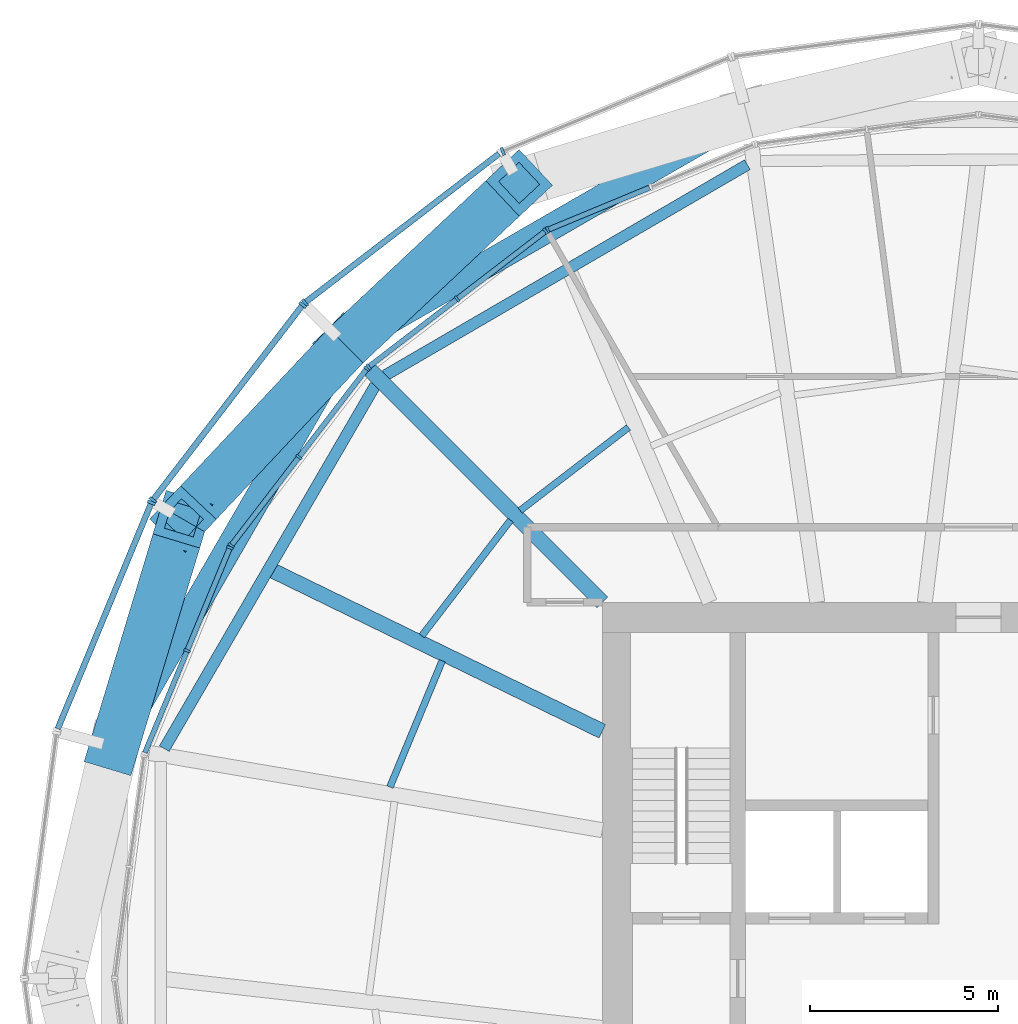
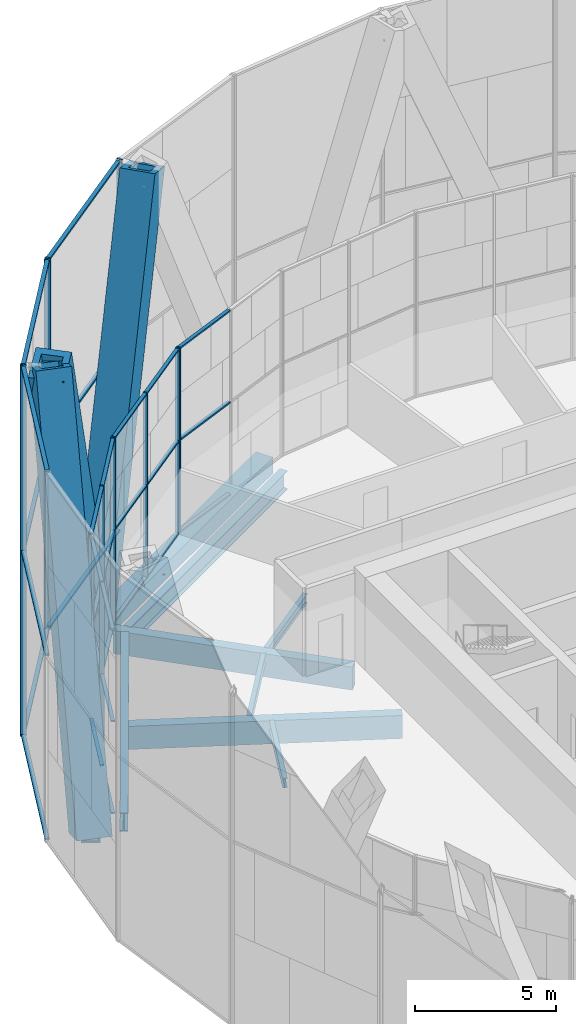
# One storey, part 6 of 22: 47 members, 9 beams, 8 elements without a shape of their own.
"""IFC4 building model written with IfcOpenShell, lengths in metres."""

from ifc_helpers import new_model, si_unit, direction, frame, origin, origin_2d, place, context, subcontext, project, spatial, rectangle, hollow_rectangle, i_section, extrude, material, material_profile, profile_set, type_object, element, aggregate, save


model = new_model("IFC4")

# Units and contexts
model_context = context("Model", 3, precision=1e-05, world=origin(), true_north=direction((0.0, 1.0)))
body_context = subcontext(model_context, "Body", "Model", "MODEL_VIEW")
ifc_project = project(units=[si_unit("LENGTHUNIT", "METRE"), si_unit("AREAUNIT", "SQUARE_METRE"), si_unit("VOLUMEUNIT", "CUBIC_METRE"), si_unit("PLANEANGLEUNIT", "RADIAN"), si_unit("MASSUNIT", "GRAM", prefix="KILO")], contexts=[model_context])

# Site, building, storey
site_placement = place(None, origin())
site = spatial("IfcSite", under=ifc_project, at=site_placement, CompositionType="ELEMENT")
building_placement = place(site_placement, origin())
building = spatial("IfcBuilding", under=site, at=building_placement, Name="Golbaran Civic Tower", CompositionType="ELEMENT")
storey_placement = place(building_placement, frame((0.0, 0.0, 37.0)))
storey = spatial("IfcBuildingStorey", under=building, at=storey_placement, Name="L08", CompositionType="ELEMENT", Elevation=37.0)

# Members
ifc_material_1 = material(Name="Steel S355", Category="steel")
ifc_material_profile_1 = material_profile(ifc_material_1, hollow_rectangle(XDim=1.300048828125, YDim=1.300048828125, WallThickness=0.25, at=origin_2d()), Name="BOX 1300x1300x250")
ifc_profile_set_1 = profile_set([ifc_material_profile_1], Name="Steel S355")
member_type_1 = type_object("IfcMemberType", Name="DIAGRID DIAGONAL BOX 1300x1300x250", PredefinedType="BRACE", material=ifc_profile_set_1)
for number, where, z_axis, x_axis, name in (
    (1, (-16.818603515625, 16.818603515625, -0.7099609375), (-0.251464950583, -0.267997493892, 0.930022968478), (0.729242105697, -0.68425576452, 0.0), "Diagonal D01-04R L08-L12"),
    (2, (-16.818603515625, 16.818603515625, -0.7099609375), (0.267997493892, 0.251464950583, 0.930022968478), (-0.68425576452, 0.729242105697, 0.0), "Diagonal D01-04L L08-L12"),
    (3, (-22.974609375, 6.156005859375, -0.7099609375), (0.106361428095, 0.351780312348, 0.930020353787), (-0.957204461944, 0.289412539524, 0.0), "Diagonal D01-05L L08-L12"),
):
    element("IfcMember", number, at=place(storey_placement, frame(where, z_axis=z_axis, x_axis=x_axis)), inside=storey, type_object=member_type_1, Name=name, PredefinedType="BRACE", context=body_context, shape_type="SweptSolid", body=[
        extrude(hollow_rectangle(XDim=1.300048828125, YDim=1.300048828125, WallThickness=0.25, at=origin_2d()), origin(), (0.0, 0.0, 1.0), 17.203857421875),
    ])

# Beams
ifc_material_profile_2 = material_profile(ifc_material_1, hollow_rectangle(XDim=0.699951171875, YDim=0.699951171875, WallThickness=0.080078125, at=origin_2d()), Name="BOX 700x700x80")
ifc_profile_set_2 = profile_set([ifc_material_profile_2], Name="Steel S355")
beam_type_1 = type_object("IfcBeamType", Name="DIAGRID RING TIE BOX 700x700x80", PredefinedType="BEAM", material=ifc_profile_set_2)
for number, where, z_axis, x_axis, name in (
    (4, (-6.156005859375, 22.974609375, -0.7099609375), (-0.866027083758, -0.49999709019, 0.0), (0.49999709019, -0.866027083758, 0.0), "Ring tie 105.00 L08"),
    (5, (-16.818603515625, 16.818603515625, -0.7099609375), (-0.49999709019, -0.866027083758, 0.0), (0.866027083758, -0.49999709019, 0.0), "Ring tie 135.00 L08"),
):
    element("IfcBeam", number, at=place(storey_placement, frame(where, z_axis=z_axis, x_axis=x_axis)), inside=storey, type_object=beam_type_1, Name=name, PredefinedType="BEAM", context=body_context, shape_type="SweptSolid", body=[
        extrude(hollow_rectangle(XDim=0.699951171875, YDim=0.699951171875, WallThickness=0.080078125, at=origin_2d()), origin(), (0.0, 0.0, 1.0), 12.31201171875),
    ])
ifc_material_profile_3 = material_profile(ifc_material_1, i_section(OverallWidth=0.300048828125, OverallDepth=0.800048828125, WebThickness=0.017578125, FlangeThickness=0.032958984375, FilletRadius=0.030029296875, at=origin_2d()), Name="HEB 800")
ifc_profile_set_3 = profile_set([ifc_material_profile_3], Name="Steel S355")
beam_type_2 = type_object("IfcBeamType", Name="EDGE BEAM HEB 800", PredefinedType="BEAM", material=ifc_profile_set_3)
beam_1_placement = place(storey_placement, frame((-6.14404296875, 21.630126953125, -0.60009765625), z_axis=(-0.864368081575, -0.502859642002, 0.0), x_axis=(0.502859642002, -0.864368081575, 0.0)))
element("IfcBeam", 6, at=beam_1_placement, inside=storey, type_object=beam_type_2, Name="Edge beam 105.00 L08", PredefinedType="BEAM", context=body_context, shape_type="SweptSolid", body=[
    extrude(i_section(OverallWidth=0.300048828125, OverallDepth=0.800048828125, WebThickness=0.017578125, FlangeThickness=0.032958984375, FilletRadius=0.030029296875, at=origin_2d()), origin(), (0.0, 0.0, 1.0), 11.140380859375),
])
beam_2_placement = place(storey_placement, frame((-16.02783203125, 15.773193359375, -0.60009765625), z_axis=(-0.502246731429, -0.864724361151, 0.0), x_axis=(0.864724361151, -0.502246731429, 0.0)))
element("IfcBeam", 7, at=beam_2_placement, inside=storey, type_object=beam_type_2, Name="Edge beam 135.00 L08", PredefinedType="BEAM", context=body_context, shape_type="SweptSolid", body=[
    extrude(i_section(OverallWidth=0.300048828125, OverallDepth=0.800048828125, WebThickness=0.017578125, FlangeThickness=0.032958984375, FilletRadius=0.030029296875, at=origin_2d()), origin(), (0.0, 0.0, 1.0), 11.173828125),
])
ifc_material_profile_4 = material_profile(ifc_material_1, i_section(OverallWidth=0.179931640625, OverallDepth=0.39990234375, WebThickness=0.008544921875, FlangeThickness=0.013427734375, FilletRadius=0.02099609375, at=origin_2d()), Name="IPE 400")
ifc_profile_set_4 = profile_set([ifc_material_profile_4], Name="Steel S355")
beam_type_3 = type_object("IfcBeamType", Name="FLOOR INFILL BEAM IPE 400", PredefinedType="BEAM", material=ifc_profile_set_4)
beam_3_placement = place(storey_placement, frame((-9.303955078125, 14.647705078125, -0.39990234375), z_axis=(-0.793341055258, -0.608777438842, 0.0), x_axis=(0.608777438842, -0.793341055258, 0.0)))
element("IfcBeam", 8, at=beam_3_placement, inside=storey, type_object=beam_type_3, Name="Infill beam 127.50 L08", PredefinedType="BEAM", context=body_context, shape_type="SweptSolid", body=[
    extrude(i_section(OverallWidth=0.179931640625, OverallDepth=0.39990234375, WebThickness=0.008544921875, FlangeThickness=0.013427734375, FilletRadius=0.02099609375, at=origin_2d()), origin(), (0.0, 0.0, 1.0), 3.6298828125),
])
beam_4_placement = place(storey_placement, frame((-12.437255859375, 12.1826171875, -0.39990234375), z_axis=(-0.608775438177, -0.793342590482, 0.0), x_axis=(0.793342590482, -0.608775438177, 0.0)))
element("IfcBeam", 9, at=beam_4_placement, inside=storey, type_object=beam_type_3, Name="Infill beam 142.50 L08", PredefinedType="BEAM", context=body_context, shape_type="SweptSolid", body=[
    extrude(i_section(OverallWidth=0.179931640625, OverallDepth=0.39990234375, WebThickness=0.008544921875, FlangeThickness=0.013427734375, FilletRadius=0.02099609375, at=origin_2d()), origin(), (0.0, 0.0, 1.0), 3.87451171875),
])
beam_5_placement = place(storey_placement, frame((-14.254150390625, 8.4443359375, -0.39990234375), z_axis=(-0.382672312767, -0.923884138321, 0.0), x_axis=(0.923884138321, -0.382672312767, 0.0)))
element("IfcBeam", 10, at=beam_5_placement, inside=storey, type_object=beam_type_3, Name="Infill beam 157.50 L08", PredefinedType="BEAM", context=body_context, shape_type="SweptSolid", body=[
    extrude(i_section(OverallWidth=0.179931640625, OverallDepth=0.39990234375, WebThickness=0.008544921875, FlangeThickness=0.013427734375, FilletRadius=0.02099609375, at=origin_2d()), origin(), (0.0, 0.0, 1.0), 3.6328125),
])

# Curtain wall, member
ifc_material_2 = material(Name="Aluminium and glass", Category="aluminium")
curtain_wall_type_1 = type_object("IfcCurtainWallType", Name="INNER SKIN CURTAIN WALL", PredefinedType="NOTDEFINED", material=ifc_material_2)
curtain_wall_1_placement = place(storey_placement, origin())
curtain_wall_1 = element("IfcCurtainWall", 11, at=curtain_wall_1_placement, inside=storey, type_object=curtain_wall_type_1, Name="Inner skin L08 facet 8 CW1", ObjectType="INNER SKIN", PredefinedType="USERDEFINED")
ifc_material_3 = material(Name="Aluminium", Category="aluminium")
ifc_material_profile_5 = material_profile(ifc_material_3, rectangle(XDim=0.179931640625, YDim=0.06494140625, at=origin_2d()), Name="INNER SKIN CURTAIN WALL MULLION")
ifc_profile_set_5 = profile_set([ifc_material_profile_5], Name="Aluminium")
member_type_2 = type_object("IfcMemberType", Name="INNER SKIN CURTAIN WALL MULLION", PredefinedType="MULLION", material=ifc_profile_set_5)
member_1_placement = place(storey_placement, frame((-11.450439453125, 19.897216796875, 0.0), z_axis=(0.0, 0.0, 1.0), x_axis=(0.382683432365, -0.923879532511, 0.0)))
member_1 = element("IfcMember", 12, at=member_1_placement, type_object=member_type_2, Name="CW1 mullion 3", PredefinedType="MULLION", context=body_context, shape_type="SweptSolid", body=[
    extrude(rectangle(XDim=0.179931640625, YDim=0.06494140625, at=origin_2d()), origin(), (0.0, 0.0, 1.0), 8.0),
])

# Curtain wall, members
curtain_wall_2_placement = place(storey_placement, origin())
curtain_wall_2 = element("IfcCurtainWall", 13, at=curtain_wall_2_placement, inside=storey, type_object=curtain_wall_type_1, Name="Inner skin L08 facet 9 CW1", ObjectType="INNER SKIN", PredefinedType="USERDEFINED")
member_2_placement = place(storey_placement, frame((-11.50634765625, 19.864990234375, 0.0), z_axis=(0.0, 0.0, 1.0), x_axis=(0.608761428939, -0.793353340344, 0.0)))
member_2 = element("IfcMember", 14, at=member_2_placement, type_object=member_type_2, Name="CW1 mullion 1", PredefinedType="MULLION", context=body_context, shape_type="SweptSolid", body=[
    extrude(rectangle(XDim=0.179931640625, YDim=0.06494140625, at=origin_2d()), origin(), (0.0, 0.0, 1.0), 8.0),
])
member_3_placement = place(storey_placement, frame((-13.858154296875, 18.060302734375, 0.0), z_axis=(0.0, 0.0, 1.0), x_axis=(0.608761428939, -0.793353340344, 0.0)))
member_3 = element("IfcMember", 15, at=member_3_placement, type_object=member_type_2, Name="CW1 mullion 2", PredefinedType="MULLION", context=body_context, shape_type="SweptSolid", body=[
    extrude(rectangle(XDim=0.179931640625, YDim=0.06494140625, at=origin_2d()), origin(), (0.0, 0.0, 1.0), 8.0),
])
member_4_placement = place(storey_placement, frame((-16.210205078125, 16.255615234375, 0.0), z_axis=(0.0, 0.0, 1.0), x_axis=(0.608761428939, -0.793353340344, 0.0)))
member_4 = element("IfcMember", 16, at=member_4_placement, type_object=member_type_2, Name="CW1 mullion 3", PredefinedType="MULLION", context=body_context, shape_type="SweptSolid", body=[
    extrude(rectangle(XDim=0.179931640625, YDim=0.06494140625, at=origin_2d()), origin(), (0.0, 0.0, 1.0), 8.0),
])

curtain_wall_3_placement = place(storey_placement, origin())
curtain_wall_3 = element("IfcCurtainWall", 17, at=curtain_wall_3_placement, inside=storey, type_object=curtain_wall_type_1, Name="Inner skin L08 facet 10 CW1", ObjectType="INNER SKIN", PredefinedType="USERDEFINED")
member_5_placement = place(storey_placement, frame((-16.255615234375, 16.210205078125, 0.0), z_axis=(0.0, 0.0, 1.0), x_axis=(0.793353340344, -0.608761428939, 0.0)))
member_5 = element("IfcMember", 18, at=member_5_placement, type_object=member_type_2, Name="CW1 mullion 1", PredefinedType="MULLION", context=body_context, shape_type="SweptSolid", body=[
    extrude(rectangle(XDim=0.179931640625, YDim=0.06494140625, at=origin_2d()), origin(), (0.0, 0.0, 1.0), 8.0),
])
member_6_placement = place(storey_placement, frame((-18.060302734375, 13.858154296875, 0.0), z_axis=(0.0, 0.0, 1.0), x_axis=(0.793353340344, -0.608761428939, 0.0)))
member_6 = element("IfcMember", 19, at=member_6_placement, type_object=member_type_2, Name="CW1 mullion 2", PredefinedType="MULLION", context=body_context, shape_type="SweptSolid", body=[
    extrude(rectangle(XDim=0.179931640625, YDim=0.06494140625, at=origin_2d()), origin(), (0.0, 0.0, 1.0), 8.0),
])
member_7_placement = place(storey_placement, frame((-19.864990234375, 11.50634765625, 0.0), z_axis=(0.0, 0.0, 1.0), x_axis=(0.793353340344, -0.608761428939, 0.0)))
member_7 = element("IfcMember", 20, at=member_7_placement, type_object=member_type_2, Name="CW1 mullion 3", PredefinedType="MULLION", context=body_context, shape_type="SweptSolid", body=[
    extrude(rectangle(XDim=0.179931640625, YDim=0.06494140625, at=origin_2d()), origin(), (0.0, 0.0, 1.0), 8.0),
])

curtain_wall_4_placement = place(storey_placement, origin())
curtain_wall_4 = element("IfcCurtainWall", 21, at=curtain_wall_4_placement, inside=storey, type_object=curtain_wall_type_1, Name="Inner skin L08 facet 11 CW1", ObjectType="INNER SKIN", PredefinedType="USERDEFINED")
member_8_placement = place(storey_placement, frame((-19.897216796875, 11.450439453125, 0.0), z_axis=(0.0, 0.0, 1.0), x_axis=(0.923879532511, -0.382683432365, 0.0)))
member_8 = element("IfcMember", 22, at=member_8_placement, type_object=member_type_2, Name="CW1 mullion 1", PredefinedType="MULLION", context=body_context, shape_type="SweptSolid", body=[
    extrude(rectangle(XDim=0.179931640625, YDim=0.06494140625, at=origin_2d()), origin(), (0.0, 0.0, 1.0), 8.0),
])
member_9_placement = place(storey_placement, frame((-21.03173828125, 8.711669921875, 0.0), z_axis=(0.0, 0.0, 1.0), x_axis=(0.923879532511, -0.382683432365, 0.0)))
member_9 = element("IfcMember", 23, at=member_9_placement, type_object=member_type_2, Name="CW1 mullion 2", PredefinedType="MULLION", context=body_context, shape_type="SweptSolid", body=[
    extrude(rectangle(XDim=0.179931640625, YDim=0.06494140625, at=origin_2d()), origin(), (0.0, 0.0, 1.0), 8.0),
])

# Member
ifc_material_profile_6 = material_profile(ifc_material_3, rectangle(XDim=0.139892578125, YDim=0.06494140625, at=origin_2d()), Name="INNER SKIN CURTAIN WALL TRANSOM")
ifc_profile_set_6 = profile_set([ifc_material_profile_6], Name="Aluminium")
member_type_3 = type_object("IfcMemberType", Name="INNER SKIN CURTAIN WALL TRANSOM", PredefinedType="USERDEFINED", material=ifc_profile_set_6)
member_10_placement = place(storey_placement, frame((-8.74169921875, 21.019287109375, 0.032470703125), z_axis=(-0.923872125713, -0.382701313468, 0.0), x_axis=(0.382701313468, -0.923872125713, 0.0)))
member_10 = element("IfcMember", 24, at=member_10_placement, type_object=member_type_3, Name="CW1 transom 2.1", ObjectType="TRANSOM", PredefinedType="USERDEFINED", context=body_context, shape_type="SweptSolid", body=[
    extrude(rectangle(XDim=0.139892578125, YDim=0.06494140625, at=origin_2d()), origin(), (0.0, 0.0, 1.0), 2.8994140625),
])

member_11_placement = place(storey_placement, frame((-8.74169921875, 21.019287109375, 4.0), z_axis=(-0.923872125713, -0.382701313468, 0.0), x_axis=(0.382701313468, -0.923872125713, 0.0)))
member_11 = element("IfcMember", 25, at=member_11_placement, type_object=member_type_3, Name="CW1 transom 2.2", ObjectType="TRANSOM", PredefinedType="USERDEFINED", context=body_context, shape_type="SweptSolid", body=[
    extrude(rectangle(XDim=0.139892578125, YDim=0.06494140625, at=origin_2d()), origin(), (0.0, 0.0, 1.0), 2.8994140625),
])

member_12_placement = place(storey_placement, frame((-8.74169921875, 21.019287109375, 7.967529296875), z_axis=(-0.923872125713, -0.382701313468, 0.0), x_axis=(0.382701313468, -0.923872125713, 0.0)))
member_12 = element("IfcMember", 26, at=member_12_placement, type_object=member_type_3, Name="CW1 transom 2.3", ObjectType="TRANSOM", PredefinedType="USERDEFINED", context=body_context, shape_type="SweptSolid", body=[
    extrude(rectangle(XDim=0.139892578125, YDim=0.06494140625, at=origin_2d()), origin(), (0.0, 0.0, 1.0), 2.8994140625),
])

aggregate(curtain_wall_1, [member_1, member_10, member_11, member_12])

member_13_placement = place(storey_placement, frame((-11.531982421875, 19.84521484375, 0.032470703125), z_axis=(-0.79337457451, -0.608733755036, 0.0), x_axis=(0.608733755036, -0.79337457451, 0.0)))
member_13 = element("IfcMember", 27, at=member_13_placement, type_object=member_type_3, Name="CW1 transom 1.1", ObjectType="TRANSOM", PredefinedType="USERDEFINED", context=body_context, shape_type="SweptSolid", body=[
    extrude(rectangle(XDim=0.139892578125, YDim=0.06494140625, at=origin_2d()), origin(), (0.0, 0.0, 1.0), 2.899658203125),
])

member_14_placement = place(storey_placement, frame((-11.531982421875, 19.84521484375, 4.0), z_axis=(-0.79337457451, -0.608733755036, 0.0), x_axis=(0.608733755036, -0.79337457451, 0.0)))
member_14 = element("IfcMember", 28, at=member_14_placement, type_object=member_type_3, Name="CW1 transom 1.2", ObjectType="TRANSOM", PredefinedType="USERDEFINED", context=body_context, shape_type="SweptSolid", body=[
    extrude(rectangle(XDim=0.139892578125, YDim=0.06494140625, at=origin_2d()), origin(), (0.0, 0.0, 1.0), 2.899658203125),
])

member_15_placement = place(storey_placement, frame((-11.531982421875, 19.84521484375, 7.967529296875), z_axis=(-0.79337457451, -0.608733755036, 0.0), x_axis=(0.608733755036, -0.79337457451, 0.0)))
member_15 = element("IfcMember", 29, at=member_15_placement, type_object=member_type_3, Name="CW1 transom 1.3", ObjectType="TRANSOM", PredefinedType="USERDEFINED", context=body_context, shape_type="SweptSolid", body=[
    extrude(rectangle(XDim=0.139892578125, YDim=0.06494140625, at=origin_2d()), origin(), (0.0, 0.0, 1.0), 2.899658203125),
])

member_16_placement = place(storey_placement, frame((-13.884033203125, 18.04052734375, 0.032470703125), z_axis=(-0.793343372155, -0.608774419516, 0.0), x_axis=(0.608774419516, -0.793343372155, 0.0)))
member_16 = element("IfcMember", 30, at=member_16_placement, type_object=member_type_3, Name="CW1 transom 2.1", ObjectType="TRANSOM", PredefinedType="USERDEFINED", context=body_context, shape_type="SweptSolid", body=[
    extrude(rectangle(XDim=0.139892578125, YDim=0.06494140625, at=origin_2d()), origin(), (0.0, 0.0, 1.0), 2.8994140625),
])

member_17_placement = place(storey_placement, frame((-13.884033203125, 18.04052734375, 4.0), z_axis=(-0.793343372155, -0.608774419516, 0.0), x_axis=(0.608774419516, -0.793343372155, 0.0)))
member_17 = element("IfcMember", 31, at=member_17_placement, type_object=member_type_3, Name="CW1 transom 2.2", ObjectType="TRANSOM", PredefinedType="USERDEFINED", context=body_context, shape_type="SweptSolid", body=[
    extrude(rectangle(XDim=0.139892578125, YDim=0.06494140625, at=origin_2d()), origin(), (0.0, 0.0, 1.0), 2.8994140625),
])

member_18_placement = place(storey_placement, frame((-13.884033203125, 18.04052734375, 7.967529296875), z_axis=(-0.793343372155, -0.608774419516, 0.0), x_axis=(0.608774419516, -0.793343372155, 0.0)))
member_18 = element("IfcMember", 32, at=member_18_placement, type_object=member_type_3, Name="CW1 transom 2.3", ObjectType="TRANSOM", PredefinedType="USERDEFINED", context=body_context, shape_type="SweptSolid", body=[
    extrude(rectangle(XDim=0.139892578125, YDim=0.06494140625, at=origin_2d()), origin(), (0.0, 0.0, 1.0), 2.8994140625),
])

aggregate(curtain_wall_2, [member_2, member_3, member_4, member_13, member_14, member_15, member_16, member_17, member_18])

member_19_placement = place(storey_placement, frame((-16.275390625, 16.184326171875, 0.032470703125), z_axis=(-0.608774419516, -0.793343372155, 0.0), x_axis=(0.793343372155, -0.608774419516, 0.0)))
member_19 = element("IfcMember", 33, at=member_19_placement, type_object=member_type_3, Name="CW1 transom 1.1", ObjectType="TRANSOM", PredefinedType="USERDEFINED", context=body_context, shape_type="SweptSolid", body=[
    extrude(rectangle(XDim=0.139892578125, YDim=0.06494140625, at=origin_2d()), origin(), (0.0, 0.0, 1.0), 2.8994140625),
])

member_20_placement = place(storey_placement, frame((-16.275390625, 16.184326171875, 4.0), z_axis=(-0.608774419516, -0.793343372155, 0.0), x_axis=(0.793343372155, -0.608774419516, 0.0)))
member_20 = element("IfcMember", 34, at=member_20_placement, type_object=member_type_3, Name="CW1 transom 1.2", ObjectType="TRANSOM", PredefinedType="USERDEFINED", context=body_context, shape_type="SweptSolid", body=[
    extrude(rectangle(XDim=0.139892578125, YDim=0.06494140625, at=origin_2d()), origin(), (0.0, 0.0, 1.0), 2.8994140625),
])

member_21_placement = place(storey_placement, frame((-16.275390625, 16.184326171875, 7.967529296875), z_axis=(-0.608774419516, -0.793343372155, 0.0), x_axis=(0.793343372155, -0.608774419516, 0.0)))
member_21 = element("IfcMember", 35, at=member_21_placement, type_object=member_type_3, Name="CW1 transom 1.3", ObjectType="TRANSOM", PredefinedType="USERDEFINED", context=body_context, shape_type="SweptSolid", body=[
    extrude(rectangle(XDim=0.139892578125, YDim=0.06494140625, at=origin_2d()), origin(), (0.0, 0.0, 1.0), 2.8994140625),
])

member_22_placement = place(storey_placement, frame((-18.080078125, 13.83251953125, 0.032470703125), z_axis=(-0.608733755036, -0.79337457451, 0.0), x_axis=(0.79337457451, -0.608733755036, 0.0)))
member_22 = element("IfcMember", 36, at=member_22_placement, type_object=member_type_3, Name="CW1 transom 2.1", ObjectType="TRANSOM", PredefinedType="USERDEFINED", context=body_context, shape_type="SweptSolid", body=[
    extrude(rectangle(XDim=0.139892578125, YDim=0.06494140625, at=origin_2d()), origin(), (0.0, 0.0, 1.0), 2.899658203125),
])

member_23_placement = place(storey_placement, frame((-18.080078125, 13.83251953125, 4.0), z_axis=(-0.608733755036, -0.79337457451, 0.0), x_axis=(0.79337457451, -0.608733755036, 0.0)))
member_23 = element("IfcMember", 37, at=member_23_placement, type_object=member_type_3, Name="CW1 transom 2.2", ObjectType="TRANSOM", PredefinedType="USERDEFINED", context=body_context, shape_type="SweptSolid", body=[
    extrude(rectangle(XDim=0.139892578125, YDim=0.06494140625, at=origin_2d()), origin(), (0.0, 0.0, 1.0), 2.899658203125),
])

member_24_placement = place(storey_placement, frame((-18.080078125, 13.83251953125, 7.967529296875), z_axis=(-0.608733755036, -0.79337457451, 0.0), x_axis=(0.79337457451, -0.608733755036, 0.0)))
member_24 = element("IfcMember", 38, at=member_24_placement, type_object=member_type_3, Name="CW1 transom 2.3", ObjectType="TRANSOM", PredefinedType="USERDEFINED", context=body_context, shape_type="SweptSolid", body=[
    extrude(rectangle(XDim=0.139892578125, YDim=0.06494140625, at=origin_2d()), origin(), (0.0, 0.0, 1.0), 2.899658203125),
])

aggregate(curtain_wall_3, [member_5, member_6, member_7, member_19, member_20, member_21, member_22, member_23, member_24])

member_25_placement = place(storey_placement, frame((-19.90966796875, 11.42041015625, 0.032470703125), z_axis=(-0.382701313468, -0.923872125713, 0.0), x_axis=(0.923872125713, -0.382701313468, 0.0)))
member_25 = element("IfcMember", 39, at=member_25_placement, type_object=member_type_3, Name="CW1 transom 1.1", ObjectType="TRANSOM", PredefinedType="USERDEFINED", context=body_context, shape_type="SweptSolid", body=[
    extrude(rectangle(XDim=0.139892578125, YDim=0.06494140625, at=origin_2d()), origin(), (0.0, 0.0, 1.0), 2.8994140625),
])

member_26_placement = place(storey_placement, frame((-19.90966796875, 11.42041015625, 4.0), z_axis=(-0.382701313468, -0.923872125713, 0.0), x_axis=(0.923872125713, -0.382701313468, 0.0)))
member_26 = element("IfcMember", 40, at=member_26_placement, type_object=member_type_3, Name="CW1 transom 1.2", ObjectType="TRANSOM", PredefinedType="USERDEFINED", context=body_context, shape_type="SweptSolid", body=[
    extrude(rectangle(XDim=0.139892578125, YDim=0.06494140625, at=origin_2d()), origin(), (0.0, 0.0, 1.0), 2.8994140625),
])

member_27_placement = place(storey_placement, frame((-19.90966796875, 11.42041015625, 7.967529296875), z_axis=(-0.382701313468, -0.923872125713, 0.0), x_axis=(0.923872125713, -0.382701313468, 0.0)))
member_27 = element("IfcMember", 41, at=member_27_placement, type_object=member_type_3, Name="CW1 transom 1.3", ObjectType="TRANSOM", PredefinedType="USERDEFINED", context=body_context, shape_type="SweptSolid", body=[
    extrude(rectangle(XDim=0.139892578125, YDim=0.06494140625, at=origin_2d()), origin(), (0.0, 0.0, 1.0), 2.8994140625),
])

member_28_placement = place(storey_placement, frame((-21.044189453125, 8.681640625, 0.032470703125), z_axis=(-0.382671544279, -0.923884456628, 0.0), x_axis=(0.923884456628, -0.382671544279, 0.0)))
member_28 = element("IfcMember", 42, at=member_28_placement, type_object=member_type_3, Name="CW1 transom 2.1", ObjectType="TRANSOM", PredefinedType="USERDEFINED", context=body_context, shape_type="SweptSolid", body=[
    extrude(rectangle(XDim=0.139892578125, YDim=0.06494140625, at=origin_2d()), origin(), (0.0, 0.0, 1.0), 2.899658203125),
])

member_29_placement = place(storey_placement, frame((-21.044189453125, 8.681640625, 4.0), z_axis=(-0.382671544279, -0.923884456628, 0.0), x_axis=(0.923884456628, -0.382671544279, 0.0)))
member_29 = element("IfcMember", 43, at=member_29_placement, type_object=member_type_3, Name="CW1 transom 2.2", ObjectType="TRANSOM", PredefinedType="USERDEFINED", context=body_context, shape_type="SweptSolid", body=[
    extrude(rectangle(XDim=0.139892578125, YDim=0.06494140625, at=origin_2d()), origin(), (0.0, 0.0, 1.0), 2.899658203125),
])

member_30_placement = place(storey_placement, frame((-21.044189453125, 8.681640625, 7.967529296875), z_axis=(-0.382671544279, -0.923884456628, 0.0), x_axis=(0.923884456628, -0.382671544279, 0.0)))
member_30 = element("IfcMember", 44, at=member_30_placement, type_object=member_type_3, Name="CW1 transom 2.3", ObjectType="TRANSOM", PredefinedType="USERDEFINED", context=body_context, shape_type="SweptSolid", body=[
    extrude(rectangle(XDim=0.139892578125, YDim=0.06494140625, at=origin_2d()), origin(), (0.0, 0.0, 1.0), 2.899658203125),
])

aggregate(curtain_wall_4, [member_8, member_9, member_25, member_26, member_27, member_28, member_29, member_30])

# Curtain wall, member
curtain_wall_type_2 = type_object("IfcCurtainWallType", Name="OUTER SKIN TERRACOTTA SCREEN", PredefinedType="NOTDEFINED", material=ifc_material_2)
curtain_wall_5_placement = place(storey_placement, origin())
curtain_wall_5 = element("IfcCurtainWall", 45, at=curtain_wall_5_placement, inside=storey, type_object=curtain_wall_type_2, Name="Outer skin L08 facet 8 CW3", ObjectType="OUTER SKIN", PredefinedType="USERDEFINED")
ifc_material_profile_7 = material_profile(ifc_material_3, rectangle(XDim=0.219970703125, YDim=0.080078125, at=origin_2d()), Name="OUTER SKIN TERRACOTTA SCREEN MULLION")
ifc_profile_set_7 = profile_set([ifc_material_profile_7], Name="Aluminium")
member_type_4 = type_object("IfcMemberType", Name="OUTER SKIN TERRACOTTA SCREEN MULLION", PredefinedType="MULLION", material=ifc_profile_set_7)
member_31_placement = place(storey_placement, frame((-12.64599609375, 21.98291015625, -0.7099609375), z_axis=(0.0, 0.0, 1.0), x_axis=(0.382683432462, -0.923879532471, 0.0)))
member_31 = element("IfcMember", 46, at=member_31_placement, type_object=member_type_4, Name="CW3 mullion 2", PredefinedType="MULLION", context=body_context, shape_type="SweptSolid", body=[
    extrude(rectangle(XDim=0.219970703125, YDim=0.080078125, at=origin_2d()), origin(), (0.0, 0.0, 1.0), 16.0),
])
aggregate(curtain_wall_5, [member_31])

curtain_wall_6_placement = place(storey_placement, origin())
curtain_wall_6 = element("IfcCurtainWall", 47, at=curtain_wall_6_placement, inside=storey, type_object=curtain_wall_type_2, Name="Outer skin L08 facet 9 CW3", ObjectType="OUTER SKIN", PredefinedType="USERDEFINED")
member_32_placement = place(storey_placement, frame((-17.90478515625, 17.9609375, -0.7099609375), z_axis=(0.0, 0.0, 1.0), x_axis=(0.608761428898, -0.793353340376, 0.0)))
member_32 = element("IfcMember", 48, at=member_32_placement, type_object=member_type_4, Name="CW3 mullion 2", PredefinedType="MULLION", context=body_context, shape_type="SweptSolid", body=[
    extrude(rectangle(XDim=0.219970703125, YDim=0.080078125, at=origin_2d()), origin(), (0.0, 0.0, 1.0), 16.0),
])

# Curtain wall, members
curtain_wall_7_placement = place(storey_placement, origin())
curtain_wall_7 = element("IfcCurtainWall", 49, at=curtain_wall_7_placement, inside=storey, type_object=curtain_wall_type_2, Name="Outer skin L08 facet 10 CW3", ObjectType="OUTER SKIN", PredefinedType="USERDEFINED")
member_33_placement = place(storey_placement, frame((-17.9609375, 17.90478515625, -0.7099609375), z_axis=(0.0, 0.0, 1.0), x_axis=(0.793353340376, -0.608761428898, 0.0)))
member_33 = element("IfcMember", 50, at=member_33_placement, type_object=member_type_4, Name="CW3 mullion 1", PredefinedType="MULLION", context=body_context, shape_type="SweptSolid", body=[
    extrude(rectangle(XDim=0.219970703125, YDim=0.080078125, at=origin_2d()), origin(), (0.0, 0.0, 1.0), 16.0),
])
member_34_placement = place(storey_placement, frame((-21.943359375, 12.71484375, -0.7099609375), z_axis=(0.0, 0.0, 1.0), x_axis=(0.793353340376, -0.608761428898, 0.0)))
member_34 = element("IfcMember", 51, at=member_34_placement, type_object=member_type_4, Name="CW3 mullion 2", PredefinedType="MULLION", context=body_context, shape_type="SweptSolid", body=[
    extrude(rectangle(XDim=0.219970703125, YDim=0.080078125, at=origin_2d()), origin(), (0.0, 0.0, 1.0), 16.0),
])

# Curtain wall, member
curtain_wall_8_placement = place(storey_placement, origin())
curtain_wall_8 = element("IfcCurtainWall", 52, at=curtain_wall_8_placement, inside=storey, type_object=curtain_wall_type_2, Name="Outer skin L08 facet 11 CW3", ObjectType="OUTER SKIN", PredefinedType="USERDEFINED")
member_35_placement = place(storey_placement, frame((-21.98291015625, 12.64599609375, -0.7099609375), z_axis=(0.0, 0.0, 1.0), x_axis=(0.923879532471, -0.382683432462, 0.0)))
member_35 = element("IfcMember", 53, at=member_35_placement, type_object=member_type_4, Name="CW3 mullion 1", PredefinedType="MULLION", context=body_context, shape_type="SweptSolid", body=[
    extrude(rectangle(XDim=0.219970703125, YDim=0.080078125, at=origin_2d()), origin(), (0.0, 0.0, 1.0), 16.0),
])

# Member
ifc_material_profile_8 = material_profile(ifc_material_3, rectangle(XDim=0.159912109375, YDim=0.080078125, at=origin_2d()), Name="OUTER SKIN TERRACOTTA SCREEN TRANSOM")
ifc_profile_set_8 = profile_set([ifc_material_profile_8], Name="Aluminium")
member_type_5 = type_object("IfcMemberType", Name="OUTER SKIN TERRACOTTA SCREEN TRANSOM", PredefinedType="USERDEFINED", material=ifc_profile_set_8)
member_36_placement = place(storey_placement, frame((-12.74658203125, 21.9189453125, -0.669921875), z_axis=(-0.793341152721, -0.60877731183, 0.0), x_axis=(0.60877731183, -0.793341152721, 0.0)))
member_36 = element("IfcMember", 54, at=member_36_placement, type_object=member_type_5, Name="CW3 transom 1.1", ObjectType="TRANSOM", PredefinedType="USERDEFINED", context=body_context, shape_type="SweptSolid", body=[
    extrude(rectangle(XDim=0.159912109375, YDim=0.080078125, at=origin_2d()), origin(), (0.0, 0.0, 1.0), 6.4619140625),
])

member_37_placement = place(storey_placement, frame((-12.74658203125, 21.9189453125, 7.2900390625), z_axis=(-0.793341152721, -0.60877731183, 0.0), x_axis=(0.60877731183, -0.793341152721, 0.0)))
member_37 = element("IfcMember", 55, at=member_37_placement, type_object=member_type_5, Name="CW3 transom 1.2", ObjectType="TRANSOM", PredefinedType="USERDEFINED", context=body_context, shape_type="SweptSolid", body=[
    extrude(rectangle(XDim=0.159912109375, YDim=0.080078125, at=origin_2d()), origin(), (0.0, 0.0, 1.0), 6.4619140625),
])

member_38_placement = place(storey_placement, frame((-12.74658203125, 21.9189453125, 15.25), z_axis=(-0.793341152721, -0.60877731183, 0.0), x_axis=(0.60877731183, -0.793341152721, 0.0)))
member_38 = element("IfcMember", 56, at=member_38_placement, type_object=member_type_5, Name="CW3 transom 1.3", ObjectType="TRANSOM", PredefinedType="USERDEFINED", context=body_context, shape_type="SweptSolid", body=[
    extrude(rectangle(XDim=0.159912109375, YDim=0.080078125, at=origin_2d()), origin(), (0.0, 0.0, 1.0), 6.4619140625),
])

aggregate(curtain_wall_6, [member_32, member_36, member_37, member_38])

member_39_placement = place(storey_placement, frame((-17.985107421875, 17.873046875, -0.669921875), z_axis=(-0.60877731183, -0.793341152721, 0.0), x_axis=(0.793341152721, -0.60877731183, 0.0)))
member_39 = element("IfcMember", 57, at=member_39_placement, type_object=member_type_5, Name="CW3 transom 1.1", ObjectType="TRANSOM", PredefinedType="USERDEFINED", context=body_context, shape_type="SweptSolid", body=[
    extrude(rectangle(XDim=0.159912109375, YDim=0.080078125, at=origin_2d()), origin(), (0.0, 0.0, 1.0), 6.4619140625),
])

member_40_placement = place(storey_placement, frame((-17.985107421875, 17.873046875, 7.2900390625), z_axis=(-0.60877731183, -0.793341152721, 0.0), x_axis=(0.793341152721, -0.60877731183, 0.0)))
member_40 = element("IfcMember", 58, at=member_40_placement, type_object=member_type_5, Name="CW3 transom 1.2", ObjectType="TRANSOM", PredefinedType="USERDEFINED", context=body_context, shape_type="SweptSolid", body=[
    extrude(rectangle(XDim=0.159912109375, YDim=0.080078125, at=origin_2d()), origin(), (0.0, 0.0, 1.0), 6.4619140625),
])

member_41_placement = place(storey_placement, frame((-17.985107421875, 17.873046875, 15.25), z_axis=(-0.60877731183, -0.793341152721, 0.0), x_axis=(0.793341152721, -0.60877731183, 0.0)))
member_41 = element("IfcMember", 59, at=member_41_placement, type_object=member_type_5, Name="CW3 transom 1.3", ObjectType="TRANSOM", PredefinedType="USERDEFINED", context=body_context, shape_type="SweptSolid", body=[
    extrude(rectangle(XDim=0.159912109375, YDim=0.080078125, at=origin_2d()), origin(), (0.0, 0.0, 1.0), 6.4619140625),
])

aggregate(curtain_wall_7, [member_33, member_34, member_39, member_40, member_41])

member_42_placement = place(storey_placement, frame((-21.998291015625, 12.609130859375, -0.669921875), z_axis=(-0.382658786092, -0.923889740947, 0.0), x_axis=(0.923889740947, -0.382658786092, 0.0)))
member_42 = element("IfcMember", 60, at=member_42_placement, type_object=member_type_5, Name="CW3 transom 1.1", ObjectType="TRANSOM", PredefinedType="USERDEFINED", context=body_context, shape_type="SweptSolid", body=[
    extrude(rectangle(XDim=0.159912109375, YDim=0.080078125, at=origin_2d()), origin(), (0.0, 0.0, 1.0), 6.461669921875),
])

member_43_placement = place(storey_placement, frame((-21.998291015625, 12.609130859375, 7.2900390625), z_axis=(-0.382658786092, -0.923889740947, 0.0), x_axis=(0.923889740947, -0.382658786092, 0.0)))
member_43 = element("IfcMember", 61, at=member_43_placement, type_object=member_type_5, Name="CW3 transom 1.2", ObjectType="TRANSOM", PredefinedType="USERDEFINED", context=body_context, shape_type="SweptSolid", body=[
    extrude(rectangle(XDim=0.159912109375, YDim=0.080078125, at=origin_2d()), origin(), (0.0, 0.0, 1.0), 6.461669921875),
])

member_44_placement = place(storey_placement, frame((-21.998291015625, 12.609130859375, 15.25), z_axis=(-0.382658786092, -0.923889740947, 0.0), x_axis=(0.923889740947, -0.382658786092, 0.0)))
member_44 = element("IfcMember", 62, at=member_44_placement, type_object=member_type_5, Name="CW3 transom 1.3", ObjectType="TRANSOM", PredefinedType="USERDEFINED", context=body_context, shape_type="SweptSolid", body=[
    extrude(rectangle(XDim=0.159912109375, YDim=0.080078125, at=origin_2d()), origin(), (0.0, 0.0, 1.0), 6.461669921875),
])

aggregate(curtain_wall_8, [member_35, member_42, member_43, member_44])

# Beams
ifc_material_profile_9 = material_profile(ifc_material_1, hollow_rectangle(XDim=0.39990234375, YDim=1.0, WallThickness=0.050048828125, at=origin_2d()), Name="BOX 1000x400x50")
ifc_profile_set_9 = profile_set([ifc_material_profile_9], Name="Steel S355")
beam_type_4 = type_object("IfcBeamType", Name="RADIAL FLOOR BEAM BOX 1000x400x50", PredefinedType="BEAM", material=ifc_profile_set_9)
beam_6_placement = place(storey_placement, frame((-10.0, 10.0, -0.7099609375), z_axis=(-0.707106781187, 0.707106781187, 0.0), x_axis=(-0.707106781187, -0.707106781187, 0.0)))
element("IfcBeam", 63, at=beam_6_placement, inside=storey, type_object=beam_type_4, Name="Radial beam 135.00 L08", PredefinedType="BEAM", context=body_context, shape_type="SweptSolid", body=[
    extrude(hollow_rectangle(XDim=0.39990234375, YDim=1.0, WallThickness=0.050048828125, at=origin_2d()), origin(), (0.0, 0.0, 1.0), 8.7763671875),
])
ifc_material_profile_10 = material_profile(ifc_material_1, hollow_rectangle(XDim=0.39990234375, YDim=1.0, WallThickness=0.0400390625, at=origin_2d()), Name="BOX 1000x400x40")
ifc_profile_set_10 = profile_set([ifc_material_profile_10], Name="Steel S355")
beam_type_5 = type_object("IfcBeamType", Name="SECONDARY FLOOR BEAM BOX 1000x400x40", PredefinedType="BEAM", material=ifc_profile_set_10)
beam_7_placement = place(storey_placement, frame((-10.0, 6.571533203125, -0.7099609375), z_axis=(-0.898941617936, 0.438068450751, 0.0), x_axis=(-0.438068450751, -0.898941617936, 0.0)))
element("IfcBeam", 64, at=beam_7_placement, inside=storey, type_object=beam_type_5, Name="Secondary beam 150.00 L08", PredefinedType="BEAM", context=body_context, shape_type="SweptSolid", body=[
    extrude(hollow_rectangle(XDim=0.39990234375, YDim=1.0, WallThickness=0.0400390625, at=origin_2d()), origin(), (0.0, 0.0, 1.0), 9.85986328125),
])

save(model, "model.ifc")
